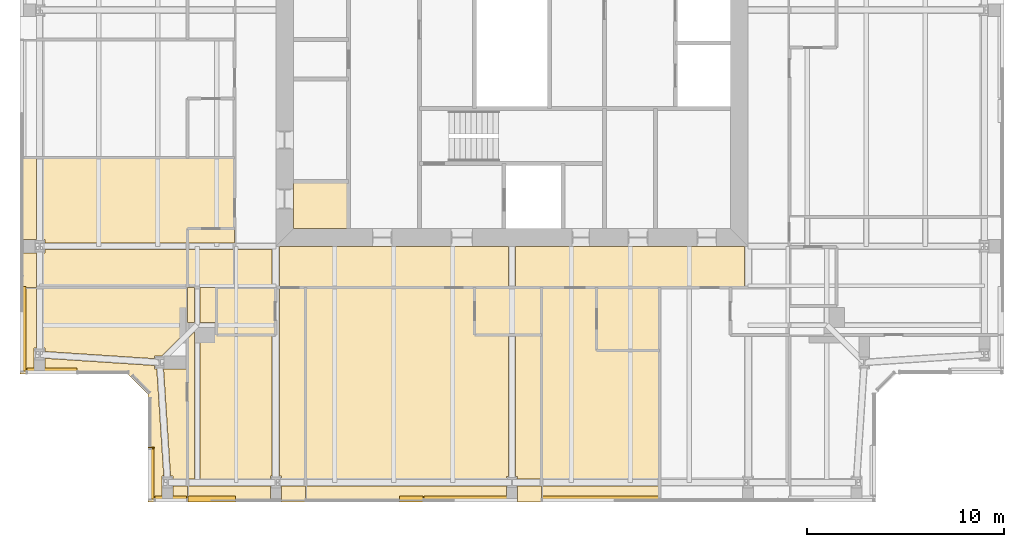
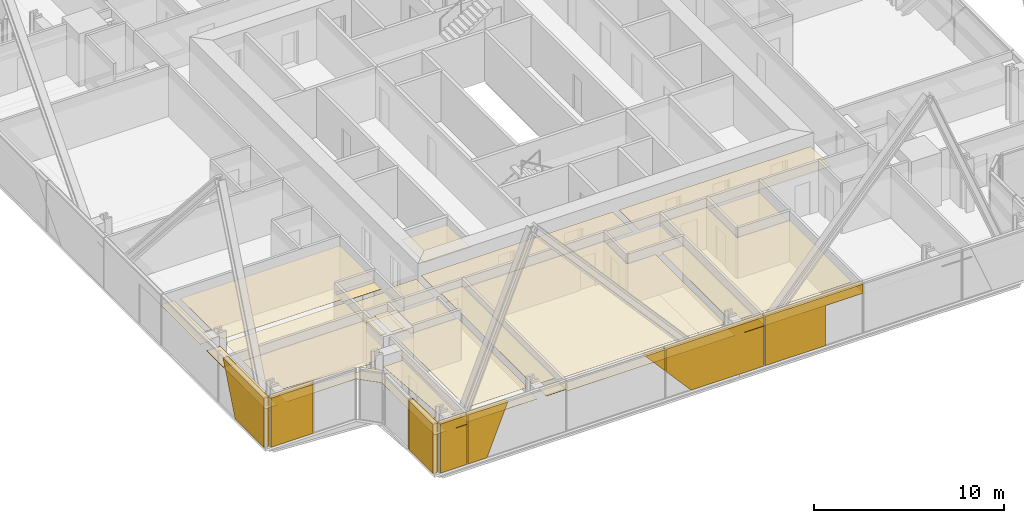
# One storey, part 16 of 20: 40 coverings.
"""IFC4 building model written with IfcOpenShell, lengths in metres."""

from ifc_helpers import new_model, si_unit, direction, frame, origin, place, context, subcontext, project, spatial, polyline, outline, extrude, material, layer, layer_set, type_object, element, save


model = new_model("IFC4")

# Units and contexts
model_context = context("Model", 3, precision=1e-05, world=origin(), true_north=direction((0.0, 1.0)))
body_context = subcontext(model_context, "Body", "Model", "MODEL_VIEW")
ifc_project = project(units=[si_unit("LENGTHUNIT", "METRE"), si_unit("AREAUNIT", "SQUARE_METRE"), si_unit("VOLUMEUNIT", "CUBIC_METRE"), si_unit("PLANEANGLEUNIT", "RADIAN"), si_unit("MASSUNIT", "GRAM", prefix="KILO")], contexts=[model_context])

# Site, building, storey
site_placement = place(None, origin())
site = spatial("IfcSite", under=ifc_project, at=site_placement, CompositionType="ELEMENT")
building_placement = place(site_placement, origin())
building = spatial("IfcBuilding", under=site, at=building_placement, Name="Fenwick Lantern Interchange", CompositionType="ELEMENT")
storey_placement = place(building_placement, frame((0.0, 0.0, 256.0)))
storey = spatial("IfcBuildingStorey", under=building, at=storey_placement, Name="L60", CompositionType="ELEMENT", Elevation=256.0)

# Coverings
ifc_material_1 = material(Name="Granite cladding, warm grey flamed finish, on aluminium carrier frame", Category="masonry")
ifc_layer_1 = layer(ifc_material_1, 0.300048828125)
ifc_layer_set_1 = layer_set([ifc_layer_1], Name="BRACE CASING PANEL 300")
covering_type_1 = type_object("IfcCoveringType", Name="BRACE CASING PANEL 300", PredefinedType="CLADDING", material=ifc_layer_set_1)
covering_1_placement = place(storey_placement, frame((6.60009765625, 0.10009765625, 0.0), z_axis=(0.0, 0.0, 1.0), x_axis=(1.0, 0.0, 0.0)))
element("IfcCovering", 1, at=covering_1_placement, inside=storey, type_object=covering_type_1, Name="Brace casing 01 bay 00a", PredefinedType="CLADDING", context=body_context, shape_type="SweptSolid", body=[
    extrude(outline(polyline([(0.260009765625, 0.0), (1.8701171875, 0.0), (1.8701171875, 3.14990234375), (0.260009765625, 3.14990234375), (0.260009765625, 0.0)])), frame((0.0, 0.2099609375, 0.0), z_axis=(0.0, -1.0, 0.0), x_axis=(1.0, 0.0, 0.0)), (0.0, 0.0, 1.0), 0.300048828125),
])
covering_2_placement = place(storey_placement, frame((6.60009765625, 0.10009765625, 0.0), z_axis=(0.0, 0.0, 1.0), x_axis=(1.0, 0.0, 0.0)))
element("IfcCovering", 2, at=covering_2_placement, inside=storey, type_object=covering_type_1, Name="Brace casing 01 bay 01a", PredefinedType="CLADDING", context=body_context, shape_type="SweptSolid", body=[
    extrude(outline(polyline([(1.929931640625, 0.0), (3.086669921875, 0.0), (4.360595703125, 3.14990234375), (1.929931640625, 3.14990234375), (1.929931640625, 0.0)])), frame((0.0, 0.2099609375, 0.0), z_axis=(0.0, -1.0, 0.0), x_axis=(1.0, 0.0, 0.0)), (0.0, 0.0, 1.0), 0.300048828125),
])
covering_3_placement = place(storey_placement, frame((6.60009765625, 0.10009765625, 1.807373046875), z_axis=(0.0, 0.0, 1.0), x_axis=(1.0, 0.0, 0.0)))
element("IfcCovering", 3, at=covering_3_placement, inside=storey, type_object=covering_type_1, Name="Brace casing 01 bay 02a", PredefinedType="CLADDING", context=body_context, shape_type="SweptSolid", body=[
    extrude(outline(polyline([(13.8701171875, 0.0), (13.8701171875, 1.342529296875), (12.685302734375, 1.342529296875), (13.8701171875, 0.0)])), frame((0.0, 0.2099609375, 0.0), z_axis=(0.0, -1.0, 0.0), x_axis=(1.0, 0.0, 0.0)), (0.0, 0.0, 1.0), 0.300048828125),
])
covering_4_placement = place(storey_placement, frame((6.60009765625, 0.10009765625, 0.0), z_axis=(0.0, 0.0, 1.0), x_axis=(1.0, 0.0, 0.0)))
element("IfcCovering", 4, at=covering_4_placement, inside=storey, type_object=covering_type_1, Name="Brace casing 01 bay 03a", PredefinedType="CLADDING", context=body_context, shape_type="SweptSolid", body=[
    extrude(outline(polyline([(15.46484375, 0.0), (19.8701171875, 0.0), (19.8701171875, 3.14990234375), (13.929931640625, 3.14990234375), (13.929931640625, 1.739501953125), (15.46484375, 0.0)])), frame((0.0, 0.2099609375, 0.0), z_axis=(0.0, -1.0, 0.0), x_axis=(1.0, 0.0, 0.0)), (0.0, 0.0, 1.0), 0.300048828125),
])
covering_5_placement = place(storey_placement, frame((6.60009765625, 0.10009765625, 0.0), z_axis=(0.0, 0.0, 1.0), x_axis=(1.0, 0.0, 0.0)))
element("IfcCovering", 5, at=covering_5_placement, inside=storey, type_object=covering_type_1, Name="Brace casing 01 bay 04a", PredefinedType="CLADDING", context=body_context, shape_type="SweptSolid", body=[
    extrude(outline(polyline([(19.929931640625, 0.0), (23.60009765625, 0.0), (23.60009765625, 2.56689453125), (25.8701171875, 2.56689453125), (25.8701171875, 3.14990234375), (19.929931640625, 3.14990234375), (19.929931640625, 0.0)])), frame((0.0, 0.2099609375, 0.0), z_axis=(0.0, -1.0, 0.0), x_axis=(1.0, 0.0, 0.0)), (0.0, 0.0, 1.0), 0.300048828125),
])
covering_6_placement = place(storey_placement, frame((0.10009765625, 43.39990234375, 0.0), z_axis=(0.0, 0.0, 1.0), x_axis=(0.0, -1.0, 0.0)))
element("IfcCovering", 6, at=covering_6_placement, inside=storey, type_object=covering_type_1, Name="Brace casing 13 bay 06a", PredefinedType="CLADDING", context=body_context, shape_type="SweptSolid", body=[
    extrude(outline(polyline([(33.71337890625, 0.0), (36.739990234375, 0.0), (36.739990234375, 3.14990234375), (32.439453125, 3.14990234375), (33.71337890625, 0.0)])), frame((0.0, 0.2099609375, 0.0), z_axis=(0.0, -1.0, 0.0), x_axis=(1.0, 0.0, 0.0)), (0.0, 0.0, 1.0), 0.300048828125),
])
covering_7_placement = place(storey_placement, frame((0.10009765625, 6.60009765625, 0.0), z_axis=(0.0, 0.0, 1.0), x_axis=(1.0, 0.0, 0.0)))
element("IfcCovering", 7, at=covering_7_placement, inside=storey, type_object=covering_type_1, Name="Brace casing 14 bay 00a", PredefinedType="CLADDING", context=body_context, shape_type="SweptSolid", body=[
    extrude(outline(polyline([(0.260009765625, 0.0), (2.790771484375, 0.0), (2.790771484375, 3.14990234375), (0.260009765625, 3.14990234375), (0.260009765625, 0.0)])), frame((0.0, 0.2099609375, 0.0), z_axis=(0.0, -1.0, 0.0), x_axis=(1.0, 0.0, 0.0)), (0.0, 0.0, 1.0), 0.300048828125),
])
covering_8_placement = place(storey_placement, frame((6.60009765625, 5.54150390625, 0.0), z_axis=(0.0, 0.0, 1.0), x_axis=(0.0, -1.0, 0.0)))
element("IfcCovering", 8, at=covering_8_placement, inside=storey, type_object=covering_type_1, Name="Brace casing 16 bay 00a", PredefinedType="CLADDING", context=body_context, shape_type="SweptSolid", body=[
    extrude(outline(polyline([(2.741455078125, 0.0), (2.790771484375, 0.0), (2.790771484375, 3.14990234375), (2.741455078125, 3.14990234375), (2.741455078125, 0.0)])), frame((0.0, 0.2099609375, 0.0), z_axis=(0.0, -1.0, 0.0), x_axis=(1.0, 0.0, 0.0)), (0.0, 0.0, 1.0), 0.300048828125),
])
covering_9_placement = place(storey_placement, frame((6.60009765625, 5.54150390625, 0.0), z_axis=(0.0, 0.0, 1.0), x_axis=(0.0, -1.0, 0.0)))
element("IfcCovering", 9, at=covering_9_placement, inside=storey, type_object=covering_type_1, Name="Brace casing 16 bay 01a", PredefinedType="CLADDING", context=body_context, shape_type="SweptSolid", body=[
    extrude(outline(polyline([(2.850830078125, 0.0), (5.38134765625, 0.0), (5.38134765625, 3.14990234375), (2.850830078125, 3.14990234375), (2.850830078125, 0.0)])), frame((0.0, 0.2099609375, 0.0), z_axis=(0.0, -1.0, 0.0), x_axis=(1.0, 0.0, 0.0)), (0.0, 0.0, 1.0), 0.300048828125),
])
ifc_material_2 = material(Name="Moisture resistant gypsum board on suspended frame, painted")
ifc_layer_2 = layer(ifc_material_2, 0.014892578125)
ifc_layer_set_2 = layer_set([ifc_layer_2], Name="MOISTURE RESISTANT CEILING 15")
covering_type_2 = type_object("IfcCoveringType", Name="MOISTURE RESISTANT CEILING 15", PredefinedType="CEILING", material=ifc_layer_set_2)
covering_10_placement = place(storey_placement, frame((0.0, 0.0, 2.60009765625)))
element("IfcCovering", 10, at=covering_10_placement, inside=storey, type_object=covering_type_2, Name="Accessible WC ceiling", PredefinedType="CEILING", context=body_context, shape_type="SweptSolid", body=[
    extrude(outline(polyline([(13.89990234375, 13.89990234375), (16.699951171875, 13.89990234375), (16.699951171875, 16.300048828125), (13.89990234375, 16.300048828125), (13.89990234375, 13.89990234375)])), origin(), (0.0, 0.0, 1.0), 0.014892578125),
])
covering_11_placement = place(storey_placement, frame((0.0, 0.0, 2.39990234375)))
element("IfcCovering", 11, at=covering_11_placement, inside=storey, type_object=covering_type_2, Name="En-suite 6001 ceiling", PredefinedType="CEILING", context=body_context, shape_type="SweptSolid", body=[
    extrude(outline(polyline([(9.97509765625, 8.5), (12.97509765625, 8.5), (12.97509765625, 10.89990234375), (9.97509765625, 10.89990234375), (9.97509765625, 8.5)])), origin(), (0.0, 0.0, 1.0), 0.01513671875),
])
covering_12_placement = place(storey_placement, frame((0.0, 0.0, 2.39990234375)))
element("IfcCovering", 12, at=covering_12_placement, inside=storey, type_object=covering_type_2, Name="En-suite 6002 ceiling", PredefinedType="CEILING", context=body_context, shape_type="SweptSolid", body=[
    extrude(outline(polyline([(23.10009765625, 8.5), (26.5, 8.5), (26.5, 10.89990234375), (23.10009765625, 10.89990234375), (23.10009765625, 8.5)])), origin(), (0.0, 0.0, 1.0), 0.01513671875),
])
covering_13_placement = place(storey_placement, frame((0.0, 0.0, 2.39990234375)))
element("IfcCovering", 13, at=covering_13_placement, inside=storey, type_object=covering_type_2, Name="En-suite 6003 ceiling", PredefinedType="CEILING", context=body_context, shape_type="SweptSolid", body=[
    extrude(outline(polyline([(29.300048828125, 7.699951171875), (32.5, 7.699951171875), (32.5, 10.89990234375), (29.300048828125, 10.89990234375), (29.300048828125, 7.699951171875)])), origin(), (0.0, 0.0, 1.0), 0.01513671875),
])
covering_14_placement = place(storey_placement, frame((0.0, 0.0, 2.39990234375)))
element("IfcCovering", 14, at=covering_14_placement, inside=storey, type_object=covering_type_2, Name="En-suite 6016 ceiling", PredefinedType="CEILING", context=body_context, shape_type="SweptSolid", body=[
    extrude(outline(polyline([(10.89990234375, 10.89990234375), (10.89990234375, 12.833984375), (8.5, 12.833984375), (8.5, 10.89990234375), (10.89990234375, 10.89990234375)])), origin(), (0.0, 0.0, 1.0), 0.01513671875),
])
covering_15_placement = place(storey_placement, frame((0.0, 0.0, 2.39990234375)))
element("IfcCovering", 15, at=covering_15_placement, inside=storey, type_object=covering_type_2, Name="En-suite 6016 ceiling", PredefinedType="CEILING", context=body_context, shape_type="SweptSolid", body=[
    extrude(outline(polyline([(8.5, 13.89990234375), (8.5, 13.166015625), (10.89990234375, 13.166015625), (10.89990234375, 13.89990234375), (8.5, 13.89990234375)])), origin(), (0.0, 0.0, 1.0), 0.01513671875),
])
ifc_material_3 = material(Name="Gypsum plasterboard on suspended frame, painted")
ifc_layer_3 = layer(ifc_material_3, 0.014892578125)
ifc_layer_set_3 = layer_set([ifc_layer_3], Name="PLASTERBOARD CEILING 15")
covering_type_3 = type_object("IfcCoveringType", Name="PLASTERBOARD CEILING 15", PredefinedType="CEILING", material=ifc_layer_set_3)
covering_16_placement = place(storey_placement, frame((0.0, 0.0, 2.57275390625)))
element("IfcCovering", 16, at=covering_16_placement, inside=storey, type_object=covering_type_3, Name="Corridor ceiling", PredefinedType="CEILING", context=body_context, shape_type="SweptSolid", body=[
    extrude(outline(polyline([(13.183837890625, 10.89990234375), (24.816162109375, 10.89990234375), (24.816162109375, 13.0), (13.183837890625, 13.0), (13.183837890625, 10.89990234375)])), origin(), (0.0, 0.0, 1.0), 0.01513671875),
])
covering_17_placement = place(storey_placement, frame((0.0, 0.0, 2.57275390625)))
element("IfcCovering", 17, at=covering_17_placement, inside=storey, type_object=covering_type_3, Name="Corridor ceiling", PredefinedType="CEILING", context=body_context, shape_type="SweptSolid", body=[
    extrude(outline(polyline([(25.183837890625, 10.89990234375), (36.816162109375, 10.89990234375), (36.816162109375, 13.0), (25.183837890625, 13.0), (25.183837890625, 10.89990234375)])), origin(), (0.0, 0.0, 1.0), 0.01513671875),
])
covering_18_placement = place(storey_placement, frame((0.0, 0.0, 2.57275390625)))
element("IfcCovering", 18, at=covering_18_placement, inside=storey, type_object=covering_type_3, Name="Corridor ceiling", PredefinedType="CEILING", context=body_context, shape_type="SweptSolid", body=[
    extrude(outline(polyline([(10.89990234375, 10.89990234375), (12.816162109375, 10.89990234375), (12.816162109375, 12.833984375), (10.89990234375, 12.833984375), (10.89990234375, 10.89990234375)])), origin(), (0.0, 0.0, 1.0), 0.01513671875),
])
covering_19_placement = place(storey_placement, frame((0.0, 0.0, 2.57275390625)))
element("IfcCovering", 19, at=covering_19_placement, inside=storey, type_object=covering_type_3, Name="Guest suite 6001 sitting room ceiling", PredefinedType="CEILING", context=body_context, shape_type="SweptSolid", body=[
    extrude(outline(polyline([(1.17236328125, 7.83447265625), (1.27734375, 7.83447265625), (1.27734375, 7.654541015625), (6.82275390625, 7.291015625), (6.82275390625, 7.4345703125), (7.217529296875, 7.4345703125), (8.5, 8.716796875), (8.5, 10.89990234375), (1.17236328125, 10.89990234375), (1.17236328125, 7.83447265625)])), origin(), (0.0, 0.0, 1.0), 0.01513671875),
])
covering_20_placement = place(storey_placement, frame((0.0, 0.0, 2.57275390625)))
element("IfcCovering", 20, at=covering_20_placement, inside=storey, type_object=covering_type_3, Name="Guest suite 6001 sitting room ceiling", PredefinedType="CEILING", context=body_context, shape_type="SweptSolid", body=[
    extrude(outline(polyline([(6.82275390625, 6.765625), (6.82275390625, 6.9453125), (1.27734375, 7.30908203125), (1.27734375, 6.5), (5.5, 6.5), (6.5, 5.5), (6.5, 0.0), (7.22265625, 0.0), (7.22265625, 1.33447265625), (7.30517578125, 1.33447265625), (6.94921875, 6.765625), (6.82275390625, 6.765625)])), origin(), (0.0, 0.0, 1.0), 0.01513671875),
])
covering_21_placement = place(storey_placement, frame((0.0, 0.0, 2.57275390625)))
element("IfcCovering", 21, at=covering_21_placement, inside=storey, type_object=covering_type_3, Name="Guest suite 6001 sitting room ceiling", PredefinedType="CEILING", context=body_context, shape_type="SweptSolid", body=[
    extrude(outline(polyline([(8.5, 6.765625), (7.294677734375, 6.765625), (7.65087890625, 1.33447265625), (7.77734375, 1.33447265625), (7.77734375, 1.17236328125), (8.5, 1.17236328125), (8.5, 6.765625)])), origin(), (0.0, 0.0, 1.0), 0.01513671875),
])
covering_22_placement = place(storey_placement, frame((0.0, 0.0, 2.57275390625)))
element("IfcCovering", 22, at=covering_22_placement, inside=storey, type_object=covering_type_3, Name="Guest suite 6001 sitting room ceiling", PredefinedType="CEILING", context=body_context, shape_type="SweptSolid", body=[
    extrude(outline(polyline([(0.72265625, 7.83447265625), (0.82763671875, 7.83447265625), (0.82763671875, 10.89990234375), (0.0, 10.89990234375), (0.0, 6.5), (0.72265625, 6.5), (0.72265625, 7.83447265625)])), origin(), (0.0, 0.0, 1.0), 0.01513671875),
])
covering_23_placement = place(storey_placement, frame((0.0, 0.0, 2.57275390625)))
element("IfcCovering", 23, at=covering_23_placement, inside=storey, type_object=covering_type_3, Name="Guest suite 6001 sitting room ceiling", PredefinedType="CEILING", context=body_context, shape_type="SweptSolid", body=[
    extrude(outline(polyline([(8.5, 0.0), (8.5, 0.82763671875), (7.77734375, 0.82763671875), (7.77734375, 0.0), (8.5, 0.0)])), origin(), (0.0, 0.0, 1.0), 0.01513671875),
])
covering_24_placement = place(storey_placement, frame((0.0, 0.0, 2.699951171875)))
element("IfcCovering", 24, at=covering_24_placement, inside=storey, type_object=covering_type_3, Name="Guest suite 6001 bedroom ceiling", PredefinedType="CEILING", context=body_context, shape_type="SweptSolid", body=[
    extrude(outline(polyline([(12.72265625, 1.33447265625), (12.816162109375, 1.33447265625), (12.816162109375, 8.5), (9.97509765625, 8.5), (9.97509765625, 8.865478515625), (9.134521484375, 8.865478515625), (9.134521484375, 1.17236328125), (12.72265625, 1.17236328125), (12.72265625, 1.33447265625)])), origin(), (0.0, 0.0, 1.0), 0.01513671875),
])
covering_25_placement = place(storey_placement, frame((0.0, 0.0, 2.699951171875)))
element("IfcCovering", 25, at=covering_25_placement, inside=storey, type_object=covering_type_3, Name="Guest suite 6001 bedroom ceiling", PredefinedType="CEILING", context=body_context, shape_type="SweptSolid", body=[
    extrude(outline(polyline([(13.27734375, 1.33447265625), (13.27734375, 1.17236328125), (14.5, 1.17236328125), (14.5, 10.89990234375), (13.183837890625, 10.89990234375), (13.183837890625, 1.33447265625), (13.27734375, 1.33447265625)])), origin(), (0.0, 0.0, 1.0), 0.01513671875),
])
covering_26_placement = place(storey_placement, frame((0.0, 0.0, 2.699951171875)))
element("IfcCovering", 26, at=covering_26_placement, inside=storey, type_object=covering_type_3, Name="Guest suite 6001 bedroom ceiling", PredefinedType="CEILING", context=body_context, shape_type="SweptSolid", body=[
    extrude(outline(polyline([(12.72265625, 0.0), (12.72265625, 0.82763671875), (8.5, 0.82763671875), (8.5, 0.0), (12.72265625, 0.0)])), origin(), (0.0, 0.0, 1.0), 0.01513671875),
])
covering_27_placement = place(storey_placement, frame((0.0, 0.0, 2.699951171875)))
element("IfcCovering", 27, at=covering_27_placement, inside=storey, type_object=covering_type_3, Name="Guest suite 6001 bedroom ceiling", PredefinedType="CEILING", context=body_context, shape_type="SweptSolid", body=[
    extrude(outline(polyline([(8.5, 8.283203125), (8.5, 1.17236328125), (8.865478515625, 1.17236328125), (8.865478515625, 8.648681640625), (8.5, 8.283203125)])), origin(), (0.0, 0.0, 1.0), 0.01513671875),
])
covering_28_placement = place(storey_placement, frame((0.0, 0.0, 2.699951171875)))
element("IfcCovering", 28, at=covering_28_placement, inside=storey, type_object=covering_type_3, Name="Guest suite 6001 bedroom ceiling", PredefinedType="CEILING", context=body_context, shape_type="SweptSolid", body=[
    extrude(outline(polyline([(9.97509765625, 10.89990234375), (9.134521484375, 10.89990234375), (9.134521484375, 9.134521484375), (9.97509765625, 9.134521484375), (9.97509765625, 10.89990234375)])), origin(), (0.0, 0.0, 1.0), 0.01513671875),
])
covering_29_placement = place(storey_placement, frame((0.0, 0.0, 2.699951171875)))
element("IfcCovering", 29, at=covering_29_placement, inside=storey, type_object=covering_type_3, Name="Guest suite 6001 bedroom ceiling", PredefinedType="CEILING", context=body_context, shape_type="SweptSolid", body=[
    extrude(outline(polyline([(13.27734375, 0.0), (14.5, 0.0), (14.5, 0.82763671875), (13.27734375, 0.82763671875), (13.27734375, 0.0)])), origin(), (0.0, 0.0, 1.0), 0.01513671875),
])
covering_30_placement = place(storey_placement, frame((0.0, 0.0, 2.699951171875)))
element("IfcCovering", 30, at=covering_30_placement, inside=storey, type_object=covering_type_3, Name="Guest suite 6001 bedroom ceiling", PredefinedType="CEILING", context=body_context, shape_type="SweptSolid", body=[
    extrude(outline(polyline([(8.5, 10.89990234375), (8.5, 9.134521484375), (8.865478515625, 9.134521484375), (8.865478515625, 10.89990234375), (8.5, 10.89990234375)])), origin(), (0.0, 0.0, 1.0), 0.01513671875),
])
covering_31_placement = place(storey_placement, frame((0.0, 0.0, 2.57275390625)))
element("IfcCovering", 31, at=covering_31_placement, inside=storey, type_object=covering_type_3, Name="Guest suite 6002 ceiling", PredefinedType="CEILING", context=body_context, shape_type="SweptSolid", body=[
    extrude(outline(polyline([(24.72900390625, 1.3154296875), (24.816162109375, 1.3154296875), (24.816162109375, 8.5), (23.10009765625, 8.5), (23.10009765625, 10.89990234375), (14.5, 10.89990234375), (14.5, 1.17236328125), (24.72900390625, 1.17236328125), (24.72900390625, 1.3154296875)])), origin(), (0.0, 0.0, 1.0), 0.01513671875),
])
covering_32_placement = place(storey_placement, frame((0.0, 0.0, 2.57275390625)))
element("IfcCovering", 32, at=covering_32_placement, inside=storey, type_object=covering_type_3, Name="Guest suite 6002 ceiling", PredefinedType="CEILING", context=body_context, shape_type="SweptSolid", body=[
    extrude(outline(polyline([(25.27099609375, 1.3154296875), (25.27099609375, 1.17236328125), (26.5, 1.17236328125), (26.5, 8.5), (25.183837890625, 8.5), (25.183837890625, 1.3154296875), (25.27099609375, 1.3154296875)])), origin(), (0.0, 0.0, 1.0), 0.01513671875),
])
covering_33_placement = place(storey_placement, frame((0.0, 0.0, 2.57275390625)))
element("IfcCovering", 33, at=covering_33_placement, inside=storey, type_object=covering_type_3, Name="Guest suite 6002 ceiling", PredefinedType="CEILING", context=body_context, shape_type="SweptSolid", body=[
    extrude(outline(polyline([(24.72900390625, 0.0), (24.72900390625, 0.82763671875), (14.5, 0.82763671875), (14.5, 0.0), (24.72900390625, 0.0)])), origin(), (0.0, 0.0, 1.0), 0.01513671875),
])
covering_34_placement = place(storey_placement, frame((0.0, 0.0, 2.57275390625)))
element("IfcCovering", 34, at=covering_34_placement, inside=storey, type_object=covering_type_3, Name="Guest suite 6002 ceiling", PredefinedType="CEILING", context=body_context, shape_type="SweptSolid", body=[
    extrude(outline(polyline([(25.27099609375, 0.82763671875), (25.27099609375, 0.0), (26.5, 0.0), (26.5, 0.82763671875), (25.27099609375, 0.82763671875)])), origin(), (0.0, 0.0, 1.0), 0.01513671875),
])
covering_35_placement = place(storey_placement, frame((0.0, 0.0, 2.57275390625)))
element("IfcCovering", 35, at=covering_35_placement, inside=storey, type_object=covering_type_3, Name="Guest room 6003 ceiling", PredefinedType="CEILING", context=body_context, shape_type="SweptSolid", body=[
    extrude(outline(polyline([(26.5, 10.89990234375), (26.5, 1.17236328125), (32.5, 1.17236328125), (32.5, 7.699951171875), (29.300048828125, 7.699951171875), (29.300048828125, 10.89990234375), (26.5, 10.89990234375)])), origin(), (0.0, 0.0, 1.0), 0.01513671875),
])
covering_36_placement = place(storey_placement, frame((0.0, 0.0, 2.57275390625)))
element("IfcCovering", 36, at=covering_36_placement, inside=storey, type_object=covering_type_3, Name="Guest room 6003 ceiling", PredefinedType="CEILING", context=body_context, shape_type="SweptSolid", body=[
    extrude(outline(polyline([(26.5, 0.0), (32.5, 0.0), (32.5, 0.82763671875), (26.5, 0.82763671875), (26.5, 0.0)])), origin(), (0.0, 0.0, 1.0), 0.01513671875),
])
covering_37_placement = place(storey_placement, frame((0.0, 0.0, 2.57275390625)))
element("IfcCovering", 37, at=covering_37_placement, inside=storey, type_object=covering_type_3, Name="Guest room 6016 ceiling", PredefinedType="CEILING", context=body_context, shape_type="SweptSolid", body=[
    extrude(outline(polyline([(1.27734375, 13.33447265625), (1.27734375, 13.166015625), (8.5, 13.166015625), (8.5, 13.89990234375), (10.89990234375, 13.89990234375), (10.89990234375, 17.5), (1.17236328125, 17.5), (1.17236328125, 13.33447265625), (1.27734375, 13.33447265625)])), origin(), (0.0, 0.0, 1.0), 0.01513671875),
])
covering_38_placement = place(storey_placement, frame((0.0, 0.0, 2.57275390625)))
element("IfcCovering", 38, at=covering_38_placement, inside=storey, type_object=covering_type_3, Name="Guest room 6016 ceiling", PredefinedType="CEILING", context=body_context, shape_type="SweptSolid", body=[
    extrude(outline(polyline([(1.27734375, 12.66552734375), (1.17236328125, 12.66552734375), (1.17236328125, 10.89990234375), (8.5, 10.89990234375), (8.5, 12.833984375), (1.27734375, 12.833984375), (1.27734375, 12.66552734375)])), origin(), (0.0, 0.0, 1.0), 0.01513671875),
])
covering_39_placement = place(storey_placement, frame((0.0, 0.0, 2.57275390625)))
element("IfcCovering", 39, at=covering_39_placement, inside=storey, type_object=covering_type_3, Name="Guest room 6016 ceiling", PredefinedType="CEILING", context=body_context, shape_type="SweptSolid", body=[
    extrude(outline(polyline([(0.0, 13.33447265625), (0.82763671875, 13.33447265625), (0.82763671875, 17.5), (0.0, 17.5), (0.0, 13.33447265625)])), origin(), (0.0, 0.0, 1.0), 0.01513671875),
])
covering_40_placement = place(storey_placement, frame((0.0, 0.0, 2.57275390625)))
element("IfcCovering", 40, at=covering_40_placement, inside=storey, type_object=covering_type_3, Name="Guest room 6016 ceiling", PredefinedType="CEILING", context=body_context, shape_type="SweptSolid", body=[
    extrude(outline(polyline([(0.82763671875, 12.66552734375), (0.0, 12.66552734375), (0.0, 10.89990234375), (0.82763671875, 10.89990234375), (0.82763671875, 12.66552734375)])), origin(), (0.0, 0.0, 1.0), 0.01513671875),
])

save(model, "model.ifc")
